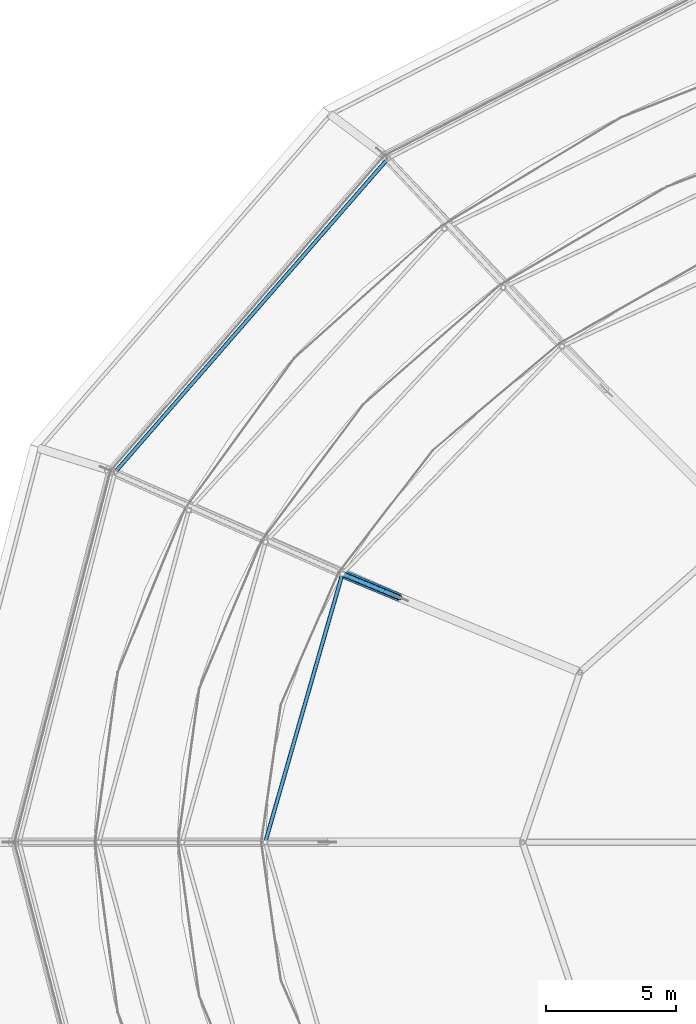
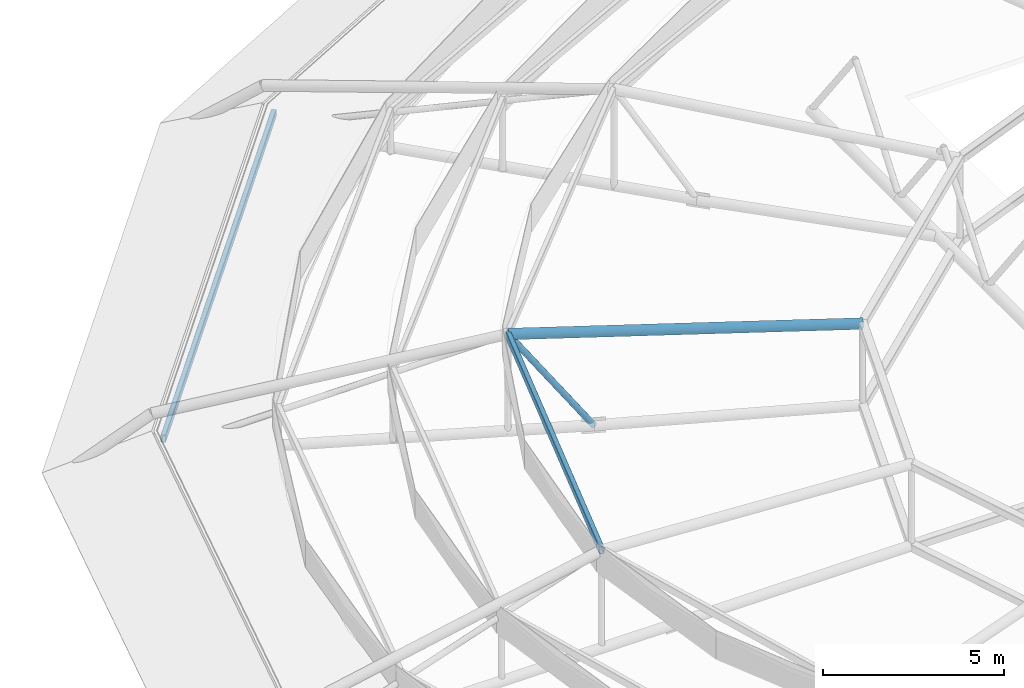
# One storey, part 20 of 134: 2 beams, 2 members.
"""IFC4 building model written with IfcOpenShell, lengths in metres."""

from ifc_helpers import new_model, si_unit, derived_unit, direction, frame, origin, origin_2d, place, context, subcontext, project, spatial, hollow_rectangle, hollow_circle, extrude, material, material_profile, profile_set, type_object, element, save


model = new_model("IFC4")

# Units and contexts
model_context = context("Model", 3, precision=1e-05, world=origin(), true_north=direction((0.0, 1.0)))
body_context = subcontext(model_context, "Body", "Model", "MODEL_VIEW")
ifc_project = project(units=[si_unit("LENGTHUNIT", "METRE"), si_unit("AREAUNIT", "SQUARE_METRE"), si_unit("VOLUMEUNIT", "CUBIC_METRE"), si_unit("PLANEANGLEUNIT", "RADIAN"), si_unit("MASSUNIT", "GRAM", prefix="KILO"), derived_unit("THERMALTRANSMITTANCEUNIT", [(si_unit("MASSUNIT", "GRAM", prefix="KILO"), 1), (si_unit("TIMEUNIT", "SECOND"), -3), (si_unit("THERMODYNAMICTEMPERATUREUNIT", "KELVIN"), -1)])], contexts=[model_context])

# Site, building, storey
site_placement = place(None, origin())
site = spatial("IfcSite", under=ifc_project, at=site_placement, CompositionType="ELEMENT")
building_placement = place(site_placement, origin())
building = spatial("IfcBuilding", under=site, at=building_placement, Name="Kharveza Railside Sports Centre", CompositionType="ELEMENT")
storey_placement = place(building_placement, frame((0.0, 0.0, 12.89990234375)))
storey = spatial("IfcBuildingStorey", under=building, at=storey_placement, Name="L03", CompositionType="ELEMENT", Elevation=12.89990234375)

# Beams
ifc_material = material(Name="Steel S355J2", Category="steel")
ifc_material_profile_1 = material_profile(ifc_material, hollow_rectangle(XDim=0.14990234375, YDim=0.25, WallThickness=0.010009765625, InnerFilletRadius=0.010009765625, OuterFilletRadius=0.02001953125, at=origin_2d()), Name="RHS 150x250x10.0")
ifc_profile_set_1 = profile_set([ifc_material_profile_1], Name="Steel S355J2")
beam_type = type_object("IfcBeamType", Name="BM-SP04", PredefinedType="SPANDREL", material=ifc_profile_set_1)
beam_1_placement = place(storey_placement, frame((20.326416015625, 76.723388671875, 0.405029296875), z_axis=(-0.656355408567, -0.754451839181, 0.0), x_axis=(0.754451839181, -0.656355408567, 0.0)))
element("IfcBeam", 1, at=beam_1_placement, inside=storey, type_object=beam_type, Name="BM-LIDRING-S1-07", PredefinedType="SPANDREL", context=body_context, shape_type="SweptSolid", body=[
    extrude(hollow_rectangle(XDim=0.14990234375, YDim=0.25, WallThickness=0.010009765625, InnerFilletRadius=0.010009765625, OuterFilletRadius=0.02001953125, at=origin_2d()), origin(), (0.0, 0.0, 1.0), 16.0078125),
])
beam_2_placement = place(storey_placement, frame((18.568603515625, 60.732421875, 3.255126953125), z_axis=(-0.276127551412, -0.961120999329, 0.0), x_axis=(0.961120999329, -0.276127551412, 0.0)))
element("IfcBeam", 2, at=beam_2_placement, inside=storey, type_object=beam_type, Name="BM-LIDRING-S4-08", PredefinedType="SPANDREL", context=body_context, shape_type="SweptSolid", body=[
    extrude(hollow_rectangle(XDim=0.14990234375, YDim=0.25, WallThickness=0.010009765625, InnerFilletRadius=0.010009765625, OuterFilletRadius=0.02001953125, at=origin_2d()), origin(), (0.0, 0.0, 1.0), 10.75048828125),
])

# Members
ifc_material_profile_2 = material_profile(ifc_material, hollow_circle(Radius=0.161865234375, WallThickness=0.01611328125, at=origin_2d()), Name="CHS 323.9x16.0")
ifc_profile_set_2 = profile_set([ifc_material_profile_2], Name="Steel S355J2")
member_type_1 = type_object("IfcMemberType", Name="MB-CH02", PredefinedType="CHORD", material=ifc_profile_set_2)
member_1_placement = place(storey_placement, frame((27.715087890625, 56.94384765625, 2.7001953125), z_axis=(-0.922458956943, 0.382092624756, 0.055449967196), x_axis=(-0.382681392697, -0.923880377367, 0.0)))
element("IfcMember", 3, at=member_1_placement, inside=storey, type_object=member_type_1, Name="MB-OUT-TC1-08", PredefinedType="CHORD", context=body_context, shape_type="SweptSolid", body=[
    extrude(hollow_circle(Radius=0.161865234375, WallThickness=0.01611328125, at=origin_2d()), origin(), (0.0, 0.0, 1.0), 9.915283203125),
])
ifc_material_profile_3 = material_profile(ifc_material, hollow_circle(Radius=0.096923828125, WallThickness=0.010009765625, at=origin_2d()), Name="CHS 193.7x10.0")
ifc_profile_set_3 = profile_set([ifc_material_profile_3], Name="Steel S355J2")
member_type_2 = type_object("IfcMemberType", Name="MB-ST02", PredefinedType="STRUT", material=ifc_profile_set_3)
member_2_placement = place(storey_placement, frame((20.785888671875, 59.81396484375, -0.0498046875), z_axis=(-0.543415883206, 0.225096955805, 0.80872154563), x_axis=(-0.382693194178, -0.923875488976, 0.0)))
element("IfcMember", 4, at=member_2_placement, inside=storey, type_object=member_type_2, Name="MB-OUT-WEB-08-2", PredefinedType="STRUT", context=body_context, shape_type="SweptSolid", body=[
    extrude(hollow_circle(Radius=0.096923828125, WallThickness=0.010009765625, at=origin_2d()), origin(), (0.0, 0.0, 1.0), 4.080322265625),
])

save(model, "model.ifc")
